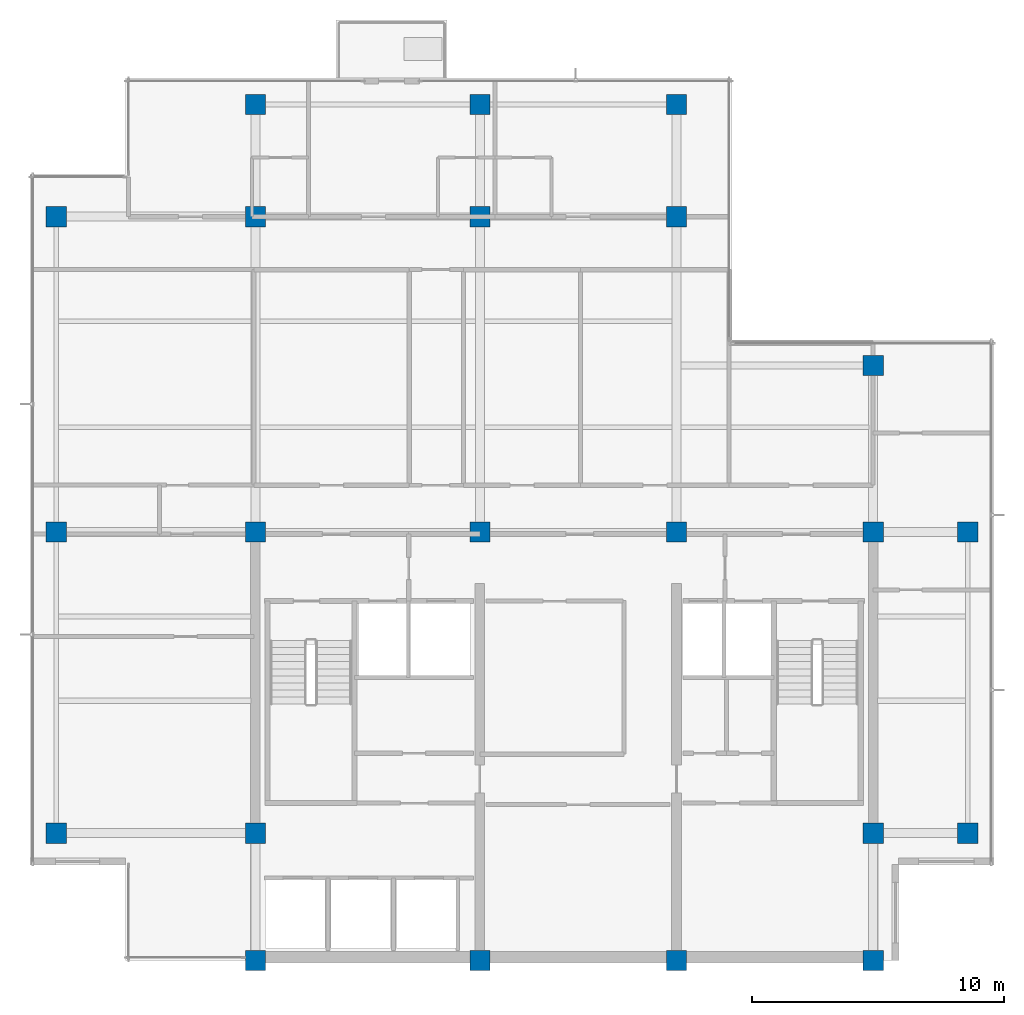
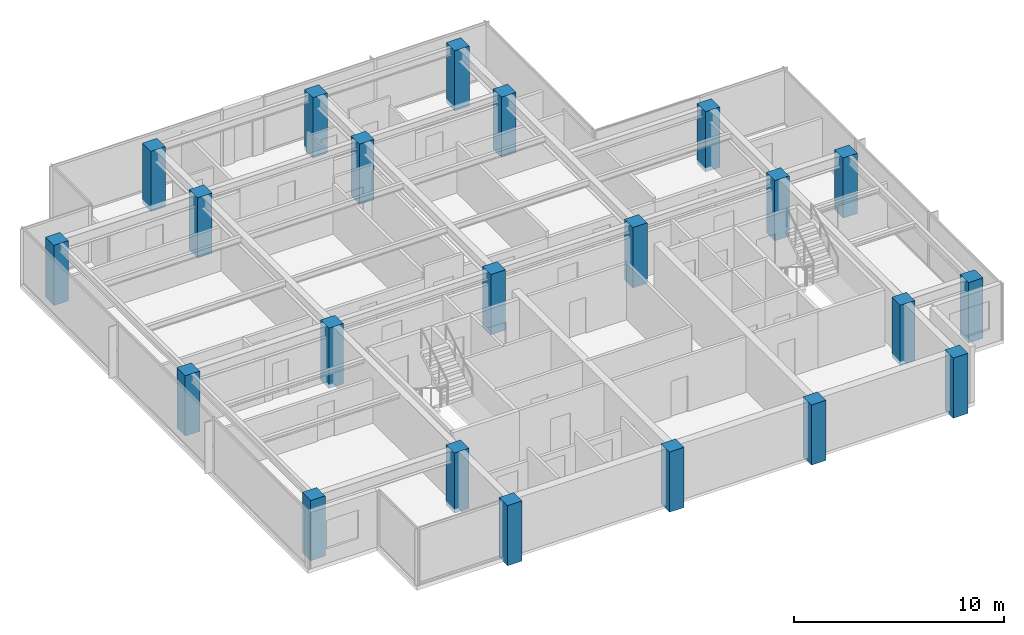
# One storey, part 1 of 11: 22 columns.
"""IFC4 building model written with IfcOpenShell, lengths in metres."""

from ifc_helpers import new_model, si_unit, direction, frame, origin, origin_2d, place, context, subcontext, project, spatial, rectangle, extrude, material, material_profile, profile_set, type_object, element, save


model = new_model("IFC4")

# Units and contexts
model_context = context("Model", 3, precision=1e-05, world=origin(), true_north=direction((0.0, 1.0)))
body_context = subcontext(model_context, "Body", "Model", "MODEL_VIEW")
ifc_project = project(units=[si_unit("LENGTHUNIT", "METRE"), si_unit("AREAUNIT", "SQUARE_METRE"), si_unit("VOLUMEUNIT", "CUBIC_METRE"), si_unit("PLANEANGLEUNIT", "RADIAN"), si_unit("MASSUNIT", "GRAM", prefix="KILO")], contexts=[model_context])

# Site, building, storey
site_placement = place(None, origin())
site = spatial("IfcSite", under=ifc_project, at=site_placement, CompositionType="ELEMENT")
building_placement = place(site_placement, origin())
building = spatial("IfcBuilding", under=site, at=building_placement, Name="Qalmaran Belvedere Hotel", CompositionType="ELEMENT")
storey_placement = place(building_placement, frame((0.0, 0.0, 263.39990234375)))
storey = spatial("IfcBuildingStorey", under=building, at=storey_placement, Name="L68", CompositionType="ELEMENT", Elevation=263.39990234375)

# Columns
ifc_material = material(Name="Concrete C50/60", Category="concrete")
ifc_material_profile = material_profile(ifc_material, rectangle(XDim=0.800048828125, YDim=0.800048828125, at=origin_2d()), Name="CC800X800")
ifc_profile_set = profile_set([ifc_material_profile], Name="Concrete C50/60")
column_type = type_object("IfcColumnType", Name="COL-Z5-CC800", PredefinedType="COLUMN", material=ifc_profile_set)
for number, where, z_axis, x_axis, name in (
    (1, (20.300048828125, 3.5, -0.239990234375), (0.0, 0.0, 1.0), (1.0, 0.0, 0.0), "L68 Column C4B"),
    (2, (29.199951171875, 3.5, -0.239990234375), (0.0, 0.0, 1.0), (1.0, 0.0, 0.0), "L68 Column C5B"),
    (3, (37.0, 3.5, -0.239990234375), (0.0, 0.0, 1.0), (1.0, 0.0, 0.0), "L68 Column C6B"),
    (4, (44.800048828125, 3.5, -0.239990234375), (0.0, 0.0, 1.0), (1.0, 0.0, 0.0), "L68 Column C7B"),
    (5, (20.300048828125, 8.550048828125, -0.239990234375), (0.0, 0.0, 1.0), (1.0, 0.0, 0.0), "L68 Column C4C"),
    (6, (44.800048828125, 8.550048828125, -0.239990234375), (0.0, 0.0, 1.0), (1.0, 0.0, 0.0), "L68 Column C7C"),
    (7, (20.300048828125, 20.5, -0.239990234375), (0.0, 0.0, 1.0), (1.0, 0.0, 0.0), "L68 Column C4D"),
    (8, (29.199951171875, 20.5, -0.239990234375), (0.0, 0.0, 1.0), (1.0, 0.0, 0.0), "L68 Column C5D"),
    (9, (37.0, 20.5, -0.239990234375), (0.0, 0.0, 1.0), (1.0, 0.0, 0.0), "L68 Column C6D"),
    (10, (44.800048828125, 20.5, -0.239990234375), (0.0, 0.0, 1.0), (1.0, 0.0, 0.0), "L68 Column C7D"),
    (11, (20.300048828125, 33.0, -0.239990234375), (0.0, 0.0, 1.0), (1.0, 0.0, 0.0), "L68 Column C4F"),
    (12, (29.199951171875, 33.0, -0.239990234375), (0.0, 0.0, 1.0), (1.0, 0.0, 0.0), "L68 Column C5F"),
    (13, (37.0, 33.0, -0.239990234375), (0.0, 0.0, 1.0), (1.0, 0.0, 0.0), "L68 Column C6F"),
    (14, (44.800048828125, 27.10009765625, -0.239990234375), (0.0, 0.0, 1.0), (1.0, 0.0, 0.0), "L68 Column C7E"),
    (15, (12.39990234375, 8.550048828125, -0.239990234375), (0.0, 0.0, 1.0), (1.0, 0.0, 0.0), "L68 Column CW1"),
    (16, (12.39990234375, 20.5, -0.239990234375), (0.0, 0.0, 1.0), (1.0, 0.0, 0.0), "L68 Column CW3"),
    (17, (12.39990234375, 33.0, -0.239990234375), (0.0, 0.0, 1.0), (1.0, 0.0, 0.0), "L68 Column CW4"),
    (18, (48.550048828125, 8.550048828125, -0.239990234375), (0.0, 0.0, 1.0), (1.0, 0.0, 0.0), "L68 Column CE1"),
    (19, (48.550048828125, 20.5, -0.239990234375), (0.0, 0.0, 1.0), (1.0, 0.0, 0.0), "L68 Column CE3"),
    (20, (20.300048828125, 37.449951171875, -0.239990234375), (0.0, 0.0, 1.0), (1.0, 0.0, 0.0), "L68 Column CN1"),
    (21, (29.199951171875, 37.449951171875, -0.239990234375), (0.0, 0.0, 1.0), (1.0, 0.0, 0.0), "L68 Column CN2"),
    (22, (37.0, 37.449951171875, -0.239990234375), (0.0, 0.0, 1.0), (1.0, 0.0, 0.0), "L68 Column CN3"),
):
    element("IfcColumn", number, at=place(storey_placement, frame(where, z_axis=z_axis, x_axis=x_axis)), inside=storey, type_object=column_type, Name=name, PredefinedType="COLUMN", context=body_context, shape_type="SweptSolid", body=[
        extrude(rectangle(XDim=0.800048828125, YDim=0.800048828125, at=origin_2d()), origin(), (0.0, 0.0, 1.0), 3.5),
    ])

save(model, "model.ifc")
